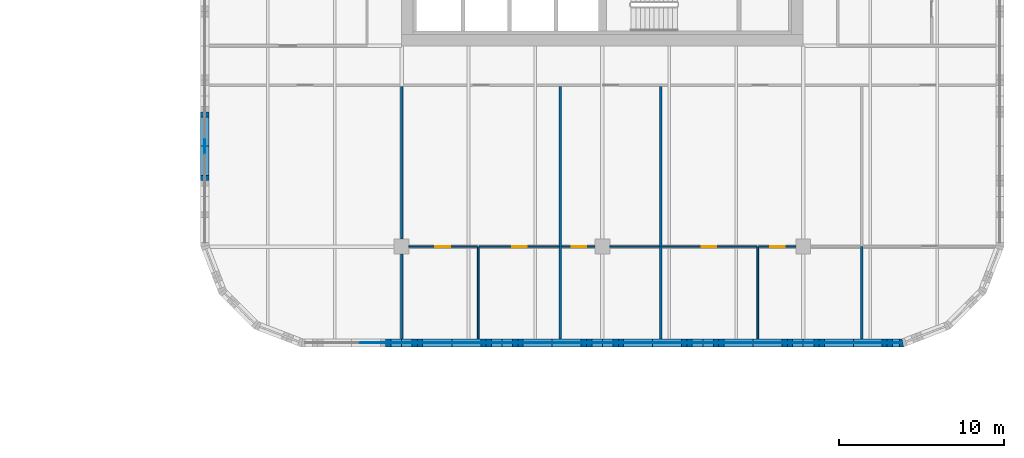
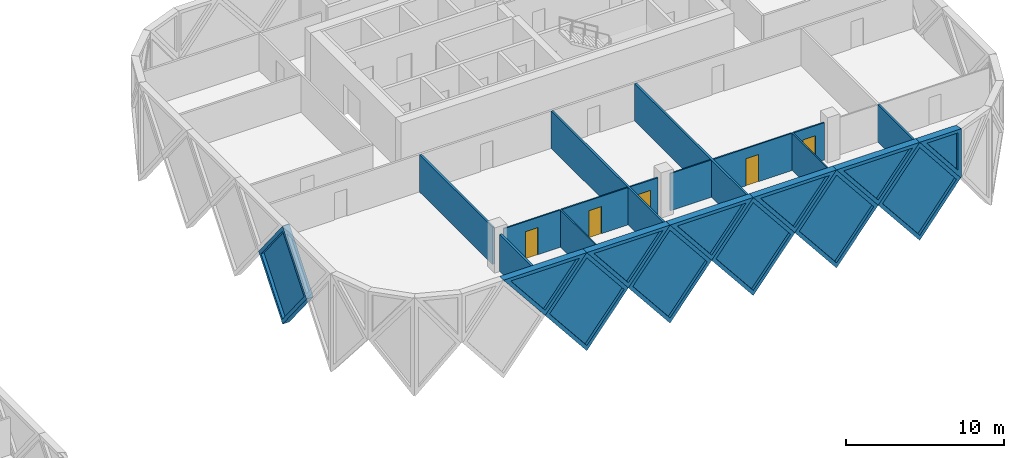
# One storey, part 15 of 24: 25 walls, 12 plates, 5 doors, 17 openings.
"""IFC4 building model written with IfcOpenShell, lengths in metres."""

from ifc_helpers import new_model, si_unit, direction, frame, frame_2d, origin, place, context, subcontext, project, spatial, polyline, rectangle, outline, extrude, faceted_brep, source, transform, mapped, material, layer, layer_set, type_object, element, fill, save


model = new_model("IFC4")

# Units and contexts
model_context = context("Model", 3, precision=1e-05, world=origin(), true_north=direction((0.0, 1.0)))
body_context = subcontext(model_context, "Body", "Model", "MODEL_VIEW")
ifc_project = project(units=[si_unit("LENGTHUNIT", "METRE"), si_unit("AREAUNIT", "SQUARE_METRE"), si_unit("VOLUMEUNIT", "CUBIC_METRE"), si_unit("PLANEANGLEUNIT", "RADIAN"), si_unit("MASSUNIT", "GRAM", prefix="KILO")], contexts=[model_context])

# Site, building, storey
site_placement = place(None, origin())
site = spatial("IfcSite", under=ifc_project, at=site_placement, CompositionType="ELEMENT")
building_placement = place(site_placement, origin())
building = spatial("IfcBuilding", under=site, at=building_placement, Name="Tessera Gate Towers", CompositionType="ELEMENT")
storey_placement = place(building_placement, frame((0.0, 0.0, 60.0)))
storey = spatial("IfcBuildingStorey", under=building, at=storey_placement, Name="L14", CompositionType="ELEMENT", Elevation=60.0)

# Wall, opening, door
ifc_material_1 = material(Name="Glass", Category="glass")
ifc_layer_1 = layer(ifc_material_1, 0.10009765625)
ifc_layer_set_1 = layer_set([ifc_layer_1], Name="GLAZED PARTITION 100")
wall_type_1 = type_object("IfcWallType", Name="GLAZED PARTITION 100", PredefinedType="PARTITIONING", material=ifc_layer_set_1)
wall_1_placement = place(storey_placement, frame((102.210693359375, 24.39990234375, 0.0), z_axis=(0.0, 0.0, 1.0), x_axis=(-1.0, 0.0, 0.0)))
wall_1 = element("IfcWall", 1, at=wall_1_placement, inside=storey, type_object=wall_type_1, Name="T2-L14-PW-007", PredefinedType="PARTITIONING", context=body_context, shape_type="SweptSolid", body=[
    extrude(rectangle(XDim=4.15966796875, YDim=0.10009765625, at=frame_2d((2.079833984375, 0.0))), origin(), (0.0, 0.0, 1.0), 2.887939453125),
])
shared_shape_1 = source(origin(), body_context, "Body", "SweptSolid", [
    extrude(rectangle(XDim=0.89990234375, YDim=2.10009765625, at=frame_2d((0.449951171875, 1.050048828125))), frame((0.0, 0.06005859375, 0.0), z_axis=(0.0, -1.0, 0.0), x_axis=(1.0, 0.0, 0.0)), (0.0, 0.0, 1.0), 0.1201171875),
])
opening_1_placement = place(wall_1_placement, frame((1.659912109375, 0.0, 0.0)))
opening_1 = element("IfcOpeningElement", 2, at=opening_1_placement, cuts=wall_1, Name="Opening D690-B06-01", PredefinedType="OPENING", context=body_context, shape_type="MappedRepresentation", body=[
    mapped(shared_shape_1, transform((0.0, 0.0, 0.0), scale=1.0)),
])
ifc_material_2 = material(Name="Glass in aluminium frame", Category="aluminium")
door_type = type_object("IfcDoorType", Name="GLAZED DOOR 900 NOT RATED", OperationType="NOTDEFINED", PredefinedType="DOOR", material=ifc_material_2)
shared_shape_2 = source(origin(), body_context, "Body", "SweptSolid", [
    extrude(rectangle(XDim=0.89990234375, YDim=2.10009765625, at=frame_2d((0.449951171875, 1.050048828125))), frame((0.0, 0.02490234375, 0.0), z_axis=(0.0, -1.0, 0.0), x_axis=(1.0, 0.0, 0.0)), (0.0, 0.0, 1.0), 0.050048828125),
])
door_1_placement = place(opening_1_placement, origin())
door_1 = element("IfcDoor", 3, at=door_1_placement, inside=storey, type_object=door_type, Name="T2-L14-PD-001", OperationType="SINGLE_SWING_RIGHT", OverallHeight=2.10009765625, OverallWidth=0.89990234375, PredefinedType="DOOR", context=body_context, shape_type="MappedRepresentation", body=[
    mapped(shared_shape_2, transform((0.0, 0.0, 0.0), scale=1.0)),
])
fill(opening_1, door_1)

wall_2_placement = place(storey_placement, frame((107.174072265625, 24.39990234375, 0.0), z_axis=(0.0, 0.0, 1.0), x_axis=(-1.0, 0.0, 0.0)))
wall_2 = element("IfcWall", 4, at=wall_2_placement, inside=storey, type_object=wall_type_1, Name="T2-L14-PW-008", PredefinedType="PARTITIONING", context=body_context, shape_type="SweptSolid", body=[
    extrude(rectangle(XDim=4.861328125, YDim=0.10009765625, at=frame_2d((2.4306640625, 0.0))), origin(), (0.0, 0.0, 1.0), 2.887939453125),
])
opening_2_placement = place(wall_2_placement, frame((1.961181640625, 0.0, 0.0)))
opening_2 = element("IfcOpeningElement", 5, at=opening_2_placement, cuts=wall_2, Name="Opening D690-B06-02", PredefinedType="OPENING", context=body_context, shape_type="MappedRepresentation", body=[
    mapped(shared_shape_1, transform((0.0, 0.0, 0.0), scale=1.0)),
])
door_2_placement = place(opening_2_placement, origin())
door_2 = element("IfcDoor", 6, at=door_2_placement, inside=storey, type_object=door_type, Name="T2-L14-PD-004", OperationType="SINGLE_SWING_RIGHT", OverallHeight=2.10009765625, OverallWidth=0.89990234375, PredefinedType="DOOR", context=body_context, shape_type="MappedRepresentation", body=[
    mapped(shared_shape_2, transform((0.0, 0.0, 0.0), scale=1.0)),
])
fill(opening_2, door_2)

wall_3_placement = place(storey_placement, frame((109.34912109375, 24.39990234375, 0.0), z_axis=(0.0, 0.0, 1.0), x_axis=(-1.0, 0.0, 0.0)))
wall_3 = element("IfcWall", 7, at=wall_3_placement, inside=storey, type_object=wall_type_1, Name="T2-L14-PW-009", PredefinedType="PARTITIONING", context=body_context, shape_type="SweptSolid", body=[
    extrude(rectangle(XDim=2.023193359375, YDim=0.10009765625, at=frame_2d((1.01171875, 0.0))), origin(), (0.0, 0.0, 1.0), 2.887939453125),
])
opening_3_placement = place(wall_3_placement, frame((0.52294921875, 0.0, 0.0)))
opening_3 = element("IfcOpeningElement", 8, at=opening_3_placement, cuts=wall_3, Name="Opening D690-B06-03", PredefinedType="OPENING", context=body_context, shape_type="MappedRepresentation", body=[
    mapped(shared_shape_1, transform((0.0, 0.0, 0.0), scale=1.0)),
])
door_3_placement = place(opening_3_placement, origin())
door_3 = element("IfcDoor", 9, at=door_3_placement, inside=storey, type_object=door_type, Name="T2-L14-PD-005", OperationType="SINGLE_SWING_RIGHT", OverallHeight=2.10009765625, OverallWidth=0.89990234375, PredefinedType="DOOR", context=body_context, shape_type="MappedRepresentation", body=[
    mapped(shared_shape_2, transform((0.0, 0.0, 0.0), scale=1.0)),
])
fill(opening_3, door_3)

# Wall
wall_4_placement = place(storey_placement, frame((110.2509765625, 24.39990234375, 0.0), z_axis=(0.0, 0.0, 1.0), x_axis=(1.0, 0.0, 0.0)))
element("IfcWall", 10, at=wall_4_placement, inside=storey, type_object=wall_type_1, Name="T2-L14-PW-010", PredefinedType="PARTITIONING", context=body_context, shape_type="SweptSolid", body=[
    extrude(rectangle(XDim=3.02294921875, YDim=0.10009765625, at=frame_2d((1.511474609375, 0.0))), origin(), (0.0, 0.0, 1.0), 2.887939453125),
])

# Wall, opening, door
wall_5_placement = place(storey_placement, frame((119.192626953125, 24.39990234375, 0.0), z_axis=(0.0, 0.0, 1.0), x_axis=(-1.0, 0.0, 0.0)))
wall_5 = element("IfcWall", 11, at=wall_5_placement, inside=storey, type_object=wall_type_1, Name="T2-L14-PW-011", PredefinedType="PARTITIONING", context=body_context, shape_type="SweptSolid", body=[
    extrude(rectangle(XDim=5.7666015625, YDim=0.10009765625, at=frame_2d((2.88330078125, 0.0))), origin(), (0.0, 0.0, 1.0), 2.887939453125),
])
opening_4_placement = place(wall_5_placement, frame((2.466796875, 0.0, 0.0)))
opening_4 = element("IfcOpeningElement", 12, at=opening_4_placement, cuts=wall_5, Name="Opening D690-B06-05", PredefinedType="OPENING", context=body_context, shape_type="MappedRepresentation", body=[
    mapped(shared_shape_1, transform((0.0, 0.0, 0.0), scale=1.0)),
])
door_4_placement = place(opening_4_placement, origin())
door_4 = element("IfcDoor", 13, at=door_4_placement, inside=storey, type_object=door_type, Name="T2-L14-PD-011", OperationType="SINGLE_SWING_RIGHT", OverallHeight=2.10009765625, OverallWidth=0.89990234375, PredefinedType="DOOR", context=body_context, shape_type="MappedRepresentation", body=[
    mapped(shared_shape_2, transform((0.0, 0.0, 0.0), scale=1.0)),
])
fill(opening_4, door_4)

wall_6_placement = place(storey_placement, frame((121.549072265625, 24.39990234375, 0.0), z_axis=(0.0, 0.0, 1.0), x_axis=(-1.0, 0.0, 0.0)))
wall_6 = element("IfcWall", 14, at=wall_6_placement, inside=storey, type_object=wall_type_1, Name="T2-L14-PW-012", PredefinedType="PARTITIONING", context=body_context, shape_type="SweptSolid", body=[
    extrude(rectangle(XDim=2.25439453125, YDim=0.10009765625, at=frame_2d((1.127197265625, 0.0))), origin(), (0.0, 0.0, 1.0), 2.887939453125),
])
opening_5_placement = place(wall_6_placement, frame((0.654296875, 0.0, 0.0)))
opening_5 = element("IfcOpeningElement", 15, at=opening_5_placement, cuts=wall_6, Name="Opening D690-B06-04", PredefinedType="OPENING", context=body_context, shape_type="MappedRepresentation", body=[
    mapped(shared_shape_1, transform((0.0, 0.0, 0.0), scale=1.0)),
])
door_5_placement = place(opening_5_placement, origin())
door_5 = element("IfcDoor", 16, at=door_5_placement, inside=storey, type_object=door_type, Name="T2-L14-PD-008", OperationType="SINGLE_SWING_RIGHT", OverallHeight=2.10009765625, OverallWidth=0.89990234375, PredefinedType="DOOR", context=body_context, shape_type="MappedRepresentation", body=[
    mapped(shared_shape_2, transform((0.0, 0.0, 0.0), scale=1.0)),
])
fill(opening_5, door_5)

# Walls
ifc_material_3 = material(Name="Gypsum board on steel studs", Category="steel")
ifc_layer_2 = layer(ifc_material_3, 0.10009765625)
ifc_layer_set_2 = layer_set([ifc_layer_2], Name="PARTITION 100")
wall_type_2 = type_object("IfcWallType", Name="PARTITION 100", PredefinedType="PARTITIONING", material=ifc_layer_set_2)
for number, where, z_axis, x_axis, name in (
    (17, (102.261962890625, 18.800048828125, 0.0), (0.0, 0.0, 1.0), (0.0, 1.0, 0.0), "T2-L14-PW-002"),
    (18, (119.243896484375, 18.800048828125, 0.0), (0.0, 0.0, 1.0), (0.0, 1.0, 0.0), "T2-L14-PW-005"),
):
    element("IfcWall", number, at=place(storey_placement, frame(where, z_axis=z_axis, x_axis=x_axis)), inside=storey, type_object=wall_type_2, Name=name, PredefinedType="PARTITIONING", context=body_context, shape_type="SweptSolid", body=[
        extrude(rectangle(XDim=5.599853515625, YDim=0.10009765625, at=frame_2d((2.7998046875, 0.0))), origin(), (0.0, 0.0, 1.0), 2.887939453125),
    ])
ifc_material_4 = material(Name="Gypsum board on steel studs, mineral wool", Category="steel")
ifc_layer_3 = layer(ifc_material_4, 0.14990234375)
ifc_layer_set_3 = layer_set([ifc_layer_3], Name="TENANCY WALL 150")
wall_type_3 = type_object("IfcWallType", Name="TENANCY WALL 150", PredefinedType="PARTITIONING", material=ifc_layer_set_3)
wall_7_placement = place(storey_placement, frame((97.60009765625, 18.800048828125, 0.0), z_axis=(0.0, 0.0, 1.0), x_axis=(0.0, 1.0, 0.0)))
element("IfcWall", 19, at=wall_7_placement, inside=storey, type_object=wall_type_3, Name="T2-L14-PW-001", PredefinedType="PARTITIONING", context=body_context, shape_type="SweptSolid", body=[
    extrude(rectangle(XDim=5.14892578125, YDim=0.14990234375, at=frame_2d((2.574462890625, 0.0))), origin(), (0.0, 0.0, 1.0), 2.887939453125),
])
for number, where, z_axis, x_axis, name in (
    (20, (107.25, 18.800048828125, 0.0), (0.0, 0.0, 1.0), (0.0, 1.0, 0.0), "T2-L14-PW-003"),
    (21, (113.35009765625, 18.800048828125, 0.0), (0.0, 0.0, 1.0), (0.0, 1.0, 0.0), "T2-L14-PW-004"),
):
    element("IfcWall", number, at=place(storey_placement, frame(where, z_axis=z_axis, x_axis=x_axis)), inside=storey, type_object=wall_type_3, Name=name, PredefinedType="PARTITIONING", context=body_context, shape_type="SweptSolid", body=[
        extrude(rectangle(XDim=15.323974609375, YDim=0.14990234375, at=frame_2d((7.662109375, 0.0))), origin(), (0.0, 0.0, 1.0), 2.887939453125),
    ])
wall_8_placement = place(storey_placement, frame((125.550048828125, 18.800048828125, 0.0), z_axis=(0.0, 0.0, 1.0), x_axis=(0.0, 1.0, 0.0)))
element("IfcWall", 22, at=wall_8_placement, inside=storey, type_object=wall_type_3, Name="T2-L14-PW-006", PredefinedType="PARTITIONING", context=body_context, shape_type="SweptSolid", body=[
    extrude(rectangle(XDim=5.599853515625, YDim=0.14990234375, at=frame_2d((2.7998046875, 0.0))), origin(), (0.0, 0.0, 1.0), 2.887939453125),
])
wall_9_placement = place(storey_placement, frame((97.60009765625, 24.85107421875, 0.0), z_axis=(0.0, 0.0, 1.0), x_axis=(0.0, 1.0, 0.0)))
element("IfcWall", 23, at=wall_9_placement, inside=storey, type_object=wall_type_3, Name="T2-L14-PW-016", PredefinedType="PARTITIONING", context=body_context, shape_type="SweptSolid", body=[
    extrude(rectangle(XDim=9.27294921875, YDim=0.14990234375, at=frame_2d((4.636474609375, 0.0))), origin(), (0.0, 0.0, 1.0), 2.887939453125),
])

# Wall, opening, plate
ifc_material_5 = material(Name="Precast concrete C60/75 white", Category="concrete")
ifc_layer_4 = layer(ifc_material_5, 0.5)
ifc_layer_set_4 = layer_set([ifc_layer_4], Name="TS1 tessera")
wall_type_4 = type_object("IfcWallType", Name="TS1 tessera", PredefinedType="SOLIDWALL", material=ifc_layer_set_4)
shared_shape_3 = source(origin(), body_context, "Body", "Brep", [
    faceted_brep([(3.050048828125, -0.25, 0.0), (6.099853515625, -0.25, 3.7998046875), (6.099853515625, -0.25, 3.80029296875), (3.050048828125, -0.25, 7.60009765625), (0.0, -0.25, 3.800048828125), (0.0, 0.25, 3.800048828125), (3.050048828125, 0.25, 7.60009765625), (6.099853515625, 0.25, 3.80029296875), (6.099853515625, 0.25, 3.7998046875), (3.050048828125, 0.25, 0.0)], [[[0, 1, 2, 3, 4]], [[5, 6, 7, 8, 9]], [[9, 8, 1, 0]], [[7, 6, 3, 2]], [[6, 5, 4, 3]], [[5, 9, 0, 4]], [[1, 8, 7, 2]]]),
])
wall_10_placement = place(storey_placement, frame((97.60009765625, 18.550048828125, -3.800048828125), z_axis=(0.0, 0.0, 1.0), x_axis=(1.0, 0.0, 0.0)))
wall_10 = element("IfcWall", 24, at=wall_10_placement, inside=storey, type_object=wall_type_4, Name="Precast tessera T2 TS1-0163", PredefinedType="SOLIDWALL", context=body_context, shape_type="MappedRepresentation", body=[
    mapped(shared_shape_3, transform((0.0, 0.0, 0.0), scale=1.0)),
])
shared_shape_4 = source(origin(), body_context, "Body", "SweptSolid", [
    extrude(outline(polyline([(3.050048828125, 0.3994140625), (5.779541015625, 3.800048828125), (3.050048828125, 7.20068359375), (0.320556640625, 3.800048828125), (3.050048828125, 0.3994140625)])), frame((0.0, 0.260009765625, 0.0), z_axis=(0.0, -1.0, 0.0), x_axis=(1.0, 0.0, 0.0)), (0.0, 0.0, 1.0), 0.52001953125),
])
opening_6_placement = place(wall_10_placement, origin())
opening_6 = element("IfcOpeningElement", 25, at=opening_6_placement, cuts=wall_10, Name="Opening T2-PL2-0307", PredefinedType="OPENING", context=body_context, shape_type="MappedRepresentation", body=[
    mapped(shared_shape_4, transform((0.0, 0.0, 0.0), scale=1.0)),
])
ifc_material_6 = material(Name="Low-e laminated glass", Category="glass")
ifc_layer_5 = layer(ifc_material_6, 0.06005859375)
ifc_layer_set_5 = layer_set([ifc_layer_5], Name="PL2 rhombic pane")
plate_type_1 = type_object("IfcPlateType", Name="PL2 rhombic pane", PredefinedType="SHEET", material=ifc_layer_set_5)
shared_shape_5 = source(origin(), body_context, "Body", "SweptSolid", [
    extrude(outline(polyline([(3.050048828125, 0.3994140625), (5.779541015625, 3.800048828125), (3.050048828125, 7.20068359375), (0.320556640625, 3.800048828125), (3.050048828125, 0.3994140625)])), frame((0.0, 0.030029296875, 0.0), z_axis=(0.0, -1.0, 0.0), x_axis=(1.0, 0.0, 0.0)), (0.0, 0.0, 1.0), 0.06005859375),
])
plate_1_placement = place(opening_6_placement, origin())
plate_1 = element("IfcPlate", 26, at=plate_1_placement, inside=storey, type_object=plate_type_1, Name="Glass pane T2 PL2-0307", PredefinedType="SHEET", context=body_context, shape_type="MappedRepresentation", body=[
    mapped(shared_shape_5, transform((0.0, 0.0, 0.0), scale=1.0)),
])
fill(opening_6, plate_1)

wall_11_placement = place(storey_placement, frame((109.800048828125, 18.550048828125, -3.800048828125), z_axis=(0.0, 0.0, 1.0), x_axis=(1.0, 0.0, 0.0)))
wall_11 = element("IfcWall", 27, at=wall_11_placement, inside=storey, type_object=wall_type_4, Name="Precast tessera T2 TS1-0165", PredefinedType="SOLIDWALL", context=body_context, shape_type="MappedRepresentation", body=[
    mapped(shared_shape_3, transform((0.0, 0.0, 0.0), scale=1.0)),
])
opening_7_placement = place(wall_11_placement, origin())
opening_7 = element("IfcOpeningElement", 28, at=opening_7_placement, cuts=wall_11, Name="Opening T2-PL2-0309", PredefinedType="OPENING", context=body_context, shape_type="MappedRepresentation", body=[
    mapped(shared_shape_4, transform((0.0, 0.0, 0.0), scale=1.0)),
])
plate_2_placement = place(opening_7_placement, origin())
plate_2 = element("IfcPlate", 29, at=plate_2_placement, inside=storey, type_object=plate_type_1, Name="Glass pane T2 PL2-0309", PredefinedType="SHEET", context=body_context, shape_type="MappedRepresentation", body=[
    mapped(shared_shape_5, transform((0.0, 0.0, 0.0), scale=1.0)),
])
fill(opening_7, plate_2)

shared_shape_6 = source(origin(), body_context, "Body", "SweptSolid", [
    extrude(outline(polyline([(3.050048828125, 0.0), (6.10009765625, 3.800048828125), (3.050048828125, 7.60009765625), (0.0, 3.800048828125), (3.050048828125, 0.0)])), frame((0.0, 0.25, 0.0), z_axis=(0.0, -1.0, 0.0), x_axis=(1.0, 0.0, 0.0)), (0.0, 0.0, 1.0), 0.5),
])
wall_12_placement = place(storey_placement, frame((103.699951171875, 18.550048828125, -3.800048828125), z_axis=(0.0, 0.0, 1.0), x_axis=(1.0, 0.0, 0.0)))
wall_12 = element("IfcWall", 30, at=wall_12_placement, inside=storey, type_object=wall_type_4, Name="Precast tessera T2 TS1-0164", PredefinedType="SOLIDWALL", context=body_context, shape_type="MappedRepresentation", body=[
    mapped(shared_shape_6, transform((0.0, 0.0, 0.0), scale=1.0)),
])
opening_8_placement = place(wall_12_placement, origin())
opening_8 = element("IfcOpeningElement", 31, at=opening_8_placement, cuts=wall_12, Name="Opening T2-PL2-0308", PredefinedType="OPENING", context=body_context, shape_type="MappedRepresentation", body=[
    mapped(shared_shape_4, transform((0.0, 0.0, 0.0), scale=1.0)),
])
plate_3_placement = place(opening_8_placement, origin())
plate_3 = element("IfcPlate", 32, at=plate_3_placement, inside=storey, type_object=plate_type_1, Name="Glass pane T2 PL2-0308", PredefinedType="SHEET", context=body_context, shape_type="MappedRepresentation", body=[
    mapped(shared_shape_5, transform((0.0, 0.0, 0.0), scale=1.0)),
])
fill(opening_8, plate_3)

wall_13_placement = place(storey_placement, frame((115.89990234375, 18.550048828125, -3.800048828125), z_axis=(0.0, 0.0, 1.0), x_axis=(1.0, 0.0, 0.0)))
wall_13 = element("IfcWall", 33, at=wall_13_placement, inside=storey, type_object=wall_type_4, Name="Precast tessera T2 TS1-0166", PredefinedType="SOLIDWALL", context=body_context, shape_type="MappedRepresentation", body=[
    mapped(shared_shape_6, transform((0.0, 0.0, 0.0), scale=1.0)),
])
opening_9_placement = place(wall_13_placement, origin())
opening_9 = element("IfcOpeningElement", 34, at=opening_9_placement, cuts=wall_13, Name="Opening T2-PL2-0310", PredefinedType="OPENING", context=body_context, shape_type="MappedRepresentation", body=[
    mapped(shared_shape_4, transform((0.0, 0.0, 0.0), scale=1.0)),
])
plate_4_placement = place(opening_9_placement, origin())
plate_4 = element("IfcPlate", 35, at=plate_4_placement, inside=storey, type_object=plate_type_1, Name="Glass pane T2 PL2-0310", PredefinedType="SHEET", context=body_context, shape_type="MappedRepresentation", body=[
    mapped(shared_shape_5, transform((0.0, 0.0, 0.0), scale=1.0)),
])
fill(opening_9, plate_4)

wall_14_placement = place(storey_placement, frame((85.64990234375, 33.550048828125, -3.800048828125), z_axis=(0.0, 0.0, 1.0), x_axis=(0.0, -1.0, 0.0)))
wall_14 = element("IfcWall", 36, at=wall_14_placement, inside=storey, type_object=wall_type_4, Name="Precast tessera T2 TS1-0179", PredefinedType="SOLIDWALL", context=body_context, shape_type="MappedRepresentation", body=[
    mapped(shared_shape_6, transform((0.0, 0.0, 0.0), scale=1.0)),
])
opening_10_placement = place(wall_14_placement, origin())
opening_10 = element("IfcOpeningElement", 37, at=opening_10_placement, cuts=wall_14, Name="Opening T2-PL2-0335", PredefinedType="OPENING", context=body_context, shape_type="MappedRepresentation", body=[
    mapped(shared_shape_4, transform((0.0, 0.0, 0.0), scale=1.0)),
])
plate_5_placement = place(opening_10_placement, origin())
plate_5 = element("IfcPlate", 38, at=plate_5_placement, inside=storey, type_object=plate_type_1, Name="Glass pane T2 PL2-0335", PredefinedType="SHEET", context=body_context, shape_type="MappedRepresentation", body=[
    mapped(shared_shape_5, transform((0.0, 0.0, 0.0), scale=1.0)),
])
fill(opening_10, plate_5)

shared_shape_7 = source(origin(), body_context, "Body", "Brep", [
    faceted_brep([(3.050048828125, -0.25, 0.0), (6.053466796875, -0.25, 3.800048828125), (3.050048828125, -0.25, 7.60009765625), (0.0, -0.25, 3.800048828125), (0.0, 0.25, 3.800048828125), (3.050048828125, 0.25, 7.60009765625), (6.0068359375, 0.25, 3.85888671875), (6.0068359375, 0.25, 3.7412109375), (3.050048828125, 0.25, 0.0), (6.053466796875, 0.0, 3.800048828125)], [[[0, 1, 2, 3]], [[4, 5, 6, 7, 8]], [[8, 7, 9, 1, 0]], [[6, 5, 2, 1, 9]], [[5, 4, 3, 2]], [[4, 8, 0, 3]], [[9, 7, 6]]]),
])
wall_15_placement = place(storey_placement, frame((122.0, 18.550048828125, -3.800048828125), z_axis=(0.0, 0.0, 1.0), x_axis=(1.0, 0.0, 0.0)))
wall_15 = element("IfcWall", 39, at=wall_15_placement, inside=storey, type_object=wall_type_4, Name="Precast tessera T2 TS1-0167", PredefinedType="SOLIDWALL", context=body_context, shape_type="MappedRepresentation", body=[
    mapped(shared_shape_7, transform((0.0, 0.0, 0.0), scale=1.0)),
])
shared_shape_8 = source(origin(), body_context, "Body", "SweptSolid", [
    extrude(outline(polyline([(3.048583984375, 0.4013671875), (5.73486328125, 3.800048828125), (3.048583984375, 7.19873046875), (0.320556640625, 3.800048828125), (3.048583984375, 0.4013671875)])), frame((0.0, 0.260009765625, 0.0), z_axis=(0.0, -1.0, 0.0), x_axis=(1.0, 0.0, 0.0)), (0.0, 0.0, 1.0), 0.52001953125),
])
opening_11_placement = place(wall_15_placement, origin())
opening_11 = element("IfcOpeningElement", 40, at=opening_11_placement, cuts=wall_15, Name="Opening T2-PL2-0311", PredefinedType="OPENING", context=body_context, shape_type="MappedRepresentation", body=[
    mapped(shared_shape_8, transform((0.0, 0.0, 0.0), scale=1.0)),
])
shared_shape_9 = source(origin(), body_context, "Body", "SweptSolid", [
    extrude(outline(polyline([(3.048583984375, 0.4013671875), (5.73486328125, 3.800048828125), (3.048583984375, 7.19873046875), (0.320556640625, 3.800048828125), (3.048583984375, 0.4013671875)])), frame((0.0, 0.030029296875, 0.0), z_axis=(0.0, -1.0, 0.0), x_axis=(1.0, 0.0, 0.0)), (0.0, 0.0, 1.0), 0.06005859375),
])
plate_6_placement = place(opening_11_placement, origin())
plate_6 = element("IfcPlate", 41, at=plate_6_placement, inside=storey, type_object=plate_type_1, Name="Glass pane T2 PL2-0311", PredefinedType="SHEET", context=body_context, shape_type="MappedRepresentation", body=[
    mapped(shared_shape_9, transform((0.0, 0.0, 0.0), scale=1.0)),
])
fill(opening_11, plate_6)

ifc_material_7 = material(Name="Precast concrete C60/75 white", Category="concrete")
ifc_layer_6 = layer(ifc_material_7, 0.5)
ifc_layer_set_6 = layer_set([ifc_layer_6], Name="TS2 half tessera")
wall_type_5 = type_object("IfcWallType", Name="TS2 half tessera", PredefinedType="SOLIDWALL", material=ifc_layer_set_6)
shared_shape_10 = source(origin(), body_context, "Body", "Brep", [
    faceted_brep([(3.050048828125, -0.25, 0.0), (6.099853515625, -0.25, 3.7998046875), (6.099853515625, -0.25, 3.800048828125), (0.0, -0.25, 3.800048828125), (0.0, 0.25, 3.800048828125), (6.099853515625, 0.25, 3.800048828125), (6.099853515625, 0.25, 3.7998046875), (3.050048828125, 0.25, 0.0)], [[[0, 1, 2, 3]], [[4, 5, 6, 7]], [[7, 6, 1, 0]], [[5, 4, 3, 2]], [[4, 7, 0, 3]], [[1, 6, 5, 2]]]),
])
wall_16_placement = place(storey_placement, frame((94.550048828125, 18.550048828125, 0.0), z_axis=(0.0, 0.0, 1.0), x_axis=(1.0, 0.0, 0.0)))
wall_16 = element("IfcWall", 42, at=wall_16_placement, inside=storey, type_object=wall_type_5, Name="Precast half tessera T2 TS2-0054", PredefinedType="SOLIDWALL", context=body_context, shape_type="MappedRepresentation", body=[
    mapped(shared_shape_10, transform((0.0, 0.0, 0.0), scale=1.0)),
])
shared_shape_11 = source(origin(), body_context, "Body", "SweptSolid", [
    extrude(outline(polyline([(3.050048828125, 0.3994140625), (5.578857421875, 3.550048828125), (0.521240234375, 3.550048828125), (3.050048828125, 0.3994140625)])), frame((0.0, 0.260009765625, 0.0), z_axis=(0.0, -1.0, 0.0), x_axis=(1.0, 0.0, 0.0)), (0.0, 0.0, 1.0), 0.52001953125),
])
opening_12_placement = place(wall_16_placement, origin())
opening_12 = element("IfcOpeningElement", 43, at=opening_12_placement, cuts=wall_16, Name="Opening T2-PL1-0104", PredefinedType="OPENING", context=body_context, shape_type="MappedRepresentation", body=[
    mapped(shared_shape_11, transform((0.0, 0.0, 0.0), scale=1.0)),
])
ifc_material_8 = material(Name="Low-e laminated glass", Category="glass")
ifc_layer_7 = layer(ifc_material_8, 0.06005859375)
ifc_layer_set_7 = layer_set([ifc_layer_7], Name="PL1 triangular pane")
plate_type_2 = type_object("IfcPlateType", Name="PL1 triangular pane", PredefinedType="SHEET", material=ifc_layer_set_7)
shared_shape_12 = source(origin(), body_context, "Body", "SweptSolid", [
    extrude(outline(polyline([(3.050048828125, 0.3994140625), (5.578857421875, 3.550048828125), (0.521240234375, 3.550048828125), (3.050048828125, 0.3994140625)])), frame((0.0, 0.030029296875, 0.0), z_axis=(0.0, -1.0, 0.0), x_axis=(1.0, 0.0, 0.0)), (0.0, 0.0, 1.0), 0.06005859375),
])
plate_7_placement = place(opening_12_placement, origin())
plate_7 = element("IfcPlate", 44, at=plate_7_placement, inside=storey, type_object=plate_type_2, Name="Glass pane T2 PL1-0104", PredefinedType="SHEET", context=body_context, shape_type="MappedRepresentation", body=[
    mapped(shared_shape_12, transform((0.0, 0.0, 0.0), scale=1.0)),
])
fill(opening_12, plate_7)

wall_17_placement = place(storey_placement, frame((112.85009765625, 18.550048828125, 0.0), z_axis=(0.0, 0.0, 1.0), x_axis=(1.0, 0.0, 0.0)))
wall_17 = element("IfcWall", 45, at=wall_17_placement, inside=storey, type_object=wall_type_5, Name="Precast half tessera T2 TS2-0057", PredefinedType="SOLIDWALL", context=body_context, shape_type="MappedRepresentation", body=[
    mapped(shared_shape_10, transform((0.0, 0.0, 0.0), scale=1.0)),
])
opening_13_placement = place(wall_17_placement, origin())
opening_13 = element("IfcOpeningElement", 46, at=opening_13_placement, cuts=wall_17, Name="Opening T2-PL1-0107", PredefinedType="OPENING", context=body_context, shape_type="MappedRepresentation", body=[
    mapped(shared_shape_11, transform((0.0, 0.0, 0.0), scale=1.0)),
])
plate_8_placement = place(opening_13_placement, origin())
plate_8 = element("IfcPlate", 47, at=plate_8_placement, inside=storey, type_object=plate_type_2, Name="Glass pane T2 PL1-0107", PredefinedType="SHEET", context=body_context, shape_type="MappedRepresentation", body=[
    mapped(shared_shape_12, transform((0.0, 0.0, 0.0), scale=1.0)),
])
fill(opening_13, plate_8)

shared_shape_13 = source(origin(), body_context, "Body", "SweptSolid", [
    extrude(outline(polyline([(3.050048828125, 0.0), (6.10009765625, 3.800048828125), (0.0, 3.800048828125), (3.050048828125, 0.0)])), frame((0.0, 0.25, 0.0), z_axis=(0.0, -1.0, 0.0), x_axis=(1.0, 0.0, 0.0)), (0.0, 0.0, 1.0), 0.5),
])
wall_18_placement = place(storey_placement, frame((100.64990234375, 18.550048828125, 0.0), z_axis=(0.0, 0.0, 1.0), x_axis=(1.0, 0.0, 0.0)))
wall_18 = element("IfcWall", 48, at=wall_18_placement, inside=storey, type_object=wall_type_5, Name="Precast half tessera T2 TS2-0055", PredefinedType="SOLIDWALL", context=body_context, shape_type="MappedRepresentation", body=[
    mapped(shared_shape_13, transform((0.0, 0.0, 0.0), scale=1.0)),
])
opening_14_placement = place(wall_18_placement, origin())
opening_14 = element("IfcOpeningElement", 49, at=opening_14_placement, cuts=wall_18, Name="Opening T2-PL1-0105", PredefinedType="OPENING", context=body_context, shape_type="MappedRepresentation", body=[
    mapped(shared_shape_11, transform((0.0, 0.0, 0.0), scale=1.0)),
])
plate_9_placement = place(opening_14_placement, origin())
plate_9 = element("IfcPlate", 50, at=plate_9_placement, inside=storey, type_object=plate_type_2, Name="Glass pane T2 PL1-0105", PredefinedType="SHEET", context=body_context, shape_type="MappedRepresentation", body=[
    mapped(shared_shape_12, transform((0.0, 0.0, 0.0), scale=1.0)),
])
fill(opening_14, plate_9)

wall_19_placement = place(storey_placement, frame((106.75, 18.550048828125, 0.0), z_axis=(0.0, 0.0, 1.0), x_axis=(1.0, 0.0, 0.0)))
wall_19 = element("IfcWall", 51, at=wall_19_placement, inside=storey, type_object=wall_type_5, Name="Precast half tessera T2 TS2-0056", PredefinedType="SOLIDWALL", context=body_context, shape_type="MappedRepresentation", body=[
    mapped(shared_shape_13, transform((0.0, 0.0, 0.0), scale=1.0)),
])
opening_15_placement = place(wall_19_placement, origin())
opening_15 = element("IfcOpeningElement", 52, at=opening_15_placement, cuts=wall_19, Name="Opening T2-PL1-0106", PredefinedType="OPENING", context=body_context, shape_type="MappedRepresentation", body=[
    mapped(shared_shape_11, transform((0.0, 0.0, 0.0), scale=1.0)),
])
plate_10_placement = place(opening_15_placement, origin())
plate_10 = element("IfcPlate", 53, at=plate_10_placement, inside=storey, type_object=plate_type_2, Name="Glass pane T2 PL1-0106", PredefinedType="SHEET", context=body_context, shape_type="MappedRepresentation", body=[
    mapped(shared_shape_12, transform((0.0, 0.0, 0.0), scale=1.0)),
])
fill(opening_15, plate_10)

wall_20_placement = place(storey_placement, frame((118.949951171875, 18.550048828125, 0.0), z_axis=(0.0, 0.0, 1.0), x_axis=(1.0, 0.0, 0.0)))
wall_20 = element("IfcWall", 54, at=wall_20_placement, inside=storey, type_object=wall_type_5, Name="Precast half tessera T2 TS2-0058", PredefinedType="SOLIDWALL", context=body_context, shape_type="MappedRepresentation", body=[
    mapped(shared_shape_13, transform((0.0, 0.0, 0.0), scale=1.0)),
])
opening_16_placement = place(wall_20_placement, origin())
opening_16 = element("IfcOpeningElement", 55, at=opening_16_placement, cuts=wall_20, Name="Opening T2-PL1-0108", PredefinedType="OPENING", context=body_context, shape_type="MappedRepresentation", body=[
    mapped(shared_shape_11, transform((0.0, 0.0, 0.0), scale=1.0)),
])
plate_11_placement = place(opening_16_placement, origin())
plate_11 = element("IfcPlate", 56, at=plate_11_placement, inside=storey, type_object=plate_type_2, Name="Glass pane T2 PL1-0108", PredefinedType="SHEET", context=body_context, shape_type="MappedRepresentation", body=[
    mapped(shared_shape_12, transform((0.0, 0.0, 0.0), scale=1.0)),
])
fill(opening_16, plate_11)

ifc_material_9 = material(Name="Precast concrete C60/75 white", Category="concrete")
ifc_layer_8 = layer(ifc_material_9, 0.5)
ifc_layer_set_8 = layer_set([ifc_layer_8], Name="TS3 corner tessera")
wall_type_6 = type_object("IfcWallType", Name="TS3 corner tessera", PredefinedType="SOLIDWALL", material=ifc_layer_set_8)
shared_shape_14 = source(origin(), body_context, "Body", "Brep", [
    faceted_brep([(3.00341796875, -0.25, 0.0), (3.050048828125, -0.25, 0.06005859375), (3.050048828125, -0.25, 3.800048828125), (0.0, -0.25, 3.800048828125), (0.0, 0.25, 3.800048828125), (2.956787109375, 0.25, 3.800048828125), (2.956787109375, 0.25, 0.058837890625), (3.00341796875, 0.000244140625, 0.0)], [[[0, 1, 2, 3]], [[4, 5, 6]], [[1, 0, 7]], [[5, 4, 3, 2]], [[4, 6, 7, 0, 3]], [[1, 7, 6, 5, 2]]]),
])
wall_21_placement = place(storey_placement, frame((125.050048828125, 18.550048828125, 0.0), z_axis=(0.0, 0.0, 1.0), x_axis=(1.0, 0.0, 0.0)))
wall_21 = element("IfcWall", 57, at=wall_21_placement, inside=storey, type_object=wall_type_6, Name="Precast corner tessera T2 TS3-0211", PredefinedType="SOLIDWALL", context=body_context, shape_type="MappedRepresentation", body=[
    mapped(shared_shape_14, transform((0.0, 0.0, 0.0), scale=1.0)),
])
shared_shape_15 = source(origin(), body_context, "Body", "SweptSolid", [
    extrude(outline(polyline([(2.803466796875, 3.550048828125), (0.516357421875, 3.550048828125), (2.803466796875, 0.65625), (2.803466796875, 3.550048828125)])), frame((0.0, 0.260009765625, 0.0), z_axis=(0.0, -1.0, 0.0), x_axis=(1.0, 0.0, 0.0)), (0.0, 0.0, 1.0), 0.52001953125),
])
opening_17_placement = place(wall_21_placement, origin())
opening_17 = element("IfcOpeningElement", 58, at=opening_17_placement, cuts=wall_21, Name="Opening T2-PL1-0109", PredefinedType="OPENING", context=body_context, shape_type="MappedRepresentation", body=[
    mapped(shared_shape_15, transform((0.0, 0.0, 0.0), scale=1.0)),
])
shared_shape_16 = source(origin(), body_context, "Body", "SweptSolid", [
    extrude(outline(polyline([(2.803466796875, 3.550048828125), (0.516357421875, 3.550048828125), (2.803466796875, 0.65625), (2.803466796875, 3.550048828125)])), frame((0.0, 0.030029296875, 0.0), z_axis=(0.0, -1.0, 0.0), x_axis=(1.0, 0.0, 0.0)), (0.0, 0.0, 1.0), 0.06005859375),
])
plate_12_placement = place(opening_17_placement, origin())
plate_12 = element("IfcPlate", 59, at=plate_12_placement, inside=storey, type_object=plate_type_2, Name="Glass pane T2 PL1-0109", PredefinedType="SHEET", context=body_context, shape_type="MappedRepresentation", body=[
    mapped(shared_shape_16, transform((0.0, 0.0, 0.0), scale=1.0)),
])
fill(opening_17, plate_12)

save(model, "model.ifc")
